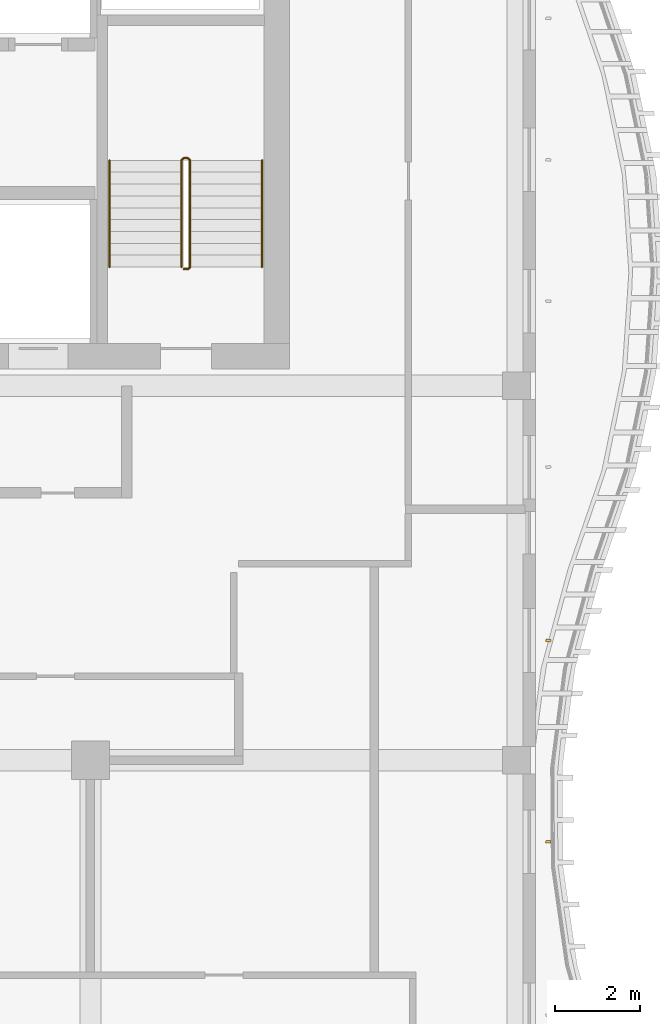
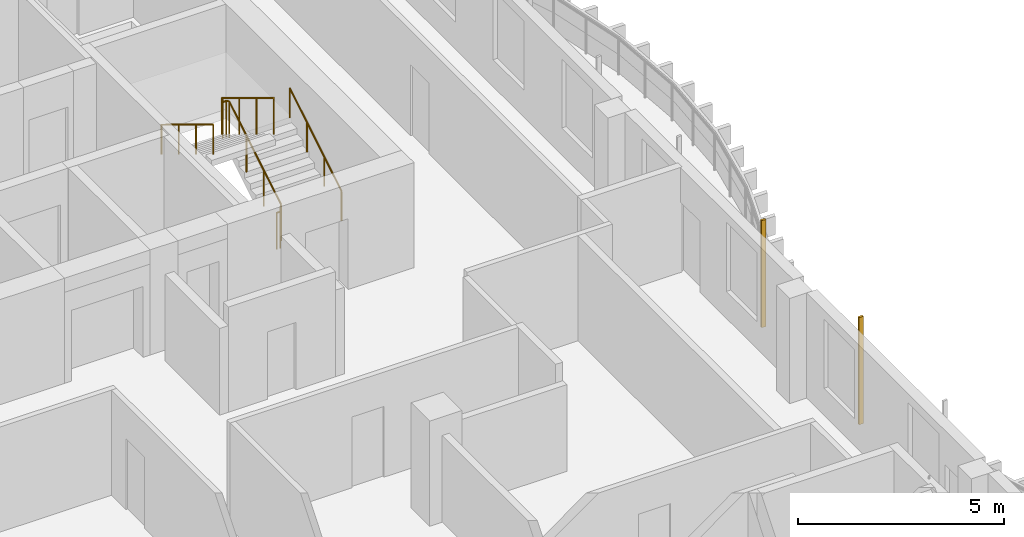
# One storey, part 16 of 18: 3 railings, 2 shading devices.
"""IFC4 building model written with IfcOpenShell, lengths in metres."""

from ifc_helpers import new_model, si_unit, direction, frame, origin, origin_2d, place, context, subcontext, project, spatial, rectangle, circle, extrude, source, transform, mapped, material, material_profile, profile_set, type_object, element, save


model = new_model("IFC4")

# Units and contexts
model_context = context("Model", 3, precision=1e-05, world=origin(), true_north=direction((0.0, 1.0)))
body_context = subcontext(model_context, "Body", "Model", "MODEL_VIEW")
ifc_project = project(units=[si_unit("LENGTHUNIT", "METRE"), si_unit("AREAUNIT", "SQUARE_METRE"), si_unit("VOLUMEUNIT", "CUBIC_METRE"), si_unit("PLANEANGLEUNIT", "RADIAN"), si_unit("MASSUNIT", "GRAM", prefix="KILO")], contexts=[model_context])

# Site, building, storey
site_placement = place(None, origin())
site = spatial("IfcSite", under=ifc_project, at=site_placement, CompositionType="ELEMENT")
building_placement = place(site_placement, origin())
building = spatial("IfcBuilding", under=site, at=building_placement, Name="Kilnfold Tower and Market Hall", CompositionType="ELEMENT")
storey_placement = place(building_placement, frame((0.0, 0.0, 280.60009765625)))
storey = spatial("IfcBuildingStorey", under=building, at=storey_placement, Name="L69", CompositionType="ELEMENT", Elevation=280.60009765625)

# Railings
ifc_material_1 = material(Name="Stainless steel 316", Category="steel")
railing_type_1 = type_object("IfcRailingType", Name="CORE STAIR GUARD 1100", PredefinedType="GUARDRAIL", material=ifc_material_1)
railing_1_placement = place(storey_placement, frame((15.199951171875, 10.75, 0.0)))
element("IfcRailing", 1, at=railing_1_placement, inside=storey, type_object=railing_type_1, Name="L69 ST2 stair guard 1", PredefinedType="GUARDRAIL", context=body_context, shape_type="SweptSolid", body=[
    extrude(circle(Radius=0.02392578125, at=origin_2d()), frame((0.0, 0.0, 1.076171875), z_axis=(1.0, 0.0, 0.0), x_axis=(0.0, 1.0, 0.0)), (0.0, 0.0, 1.0), 0.10009765625),
    extrude(circle(Radius=0.02392578125, at=origin_2d()), frame((0.10009765625, 0.0, 1.076171875), z_axis=(0.271895245746, 0.271895245746, 0.923117517265), x_axis=(-0.707106781187, 0.707106781187, 0.0)), (0.0, 0.0, 1.0), 0.18408203125),
    extrude(circle(Radius=0.02392578125, at=origin_2d()), frame((0.150146484375, 0.050048828125, 1.24609375), z_axis=(0.0, 0.85478489116, 0.518982456201), x_axis=(-1.0, 0.0, 0.0)), (0.0, 0.0, 1.0), 2.9482421875),
    extrude(circle(Radius=0.02392578125, at=origin_2d()), frame((0.150146484375, 2.570068359375, 2.77587890625), z_axis=(-0.707106781187, 0.707106781187, 0.0), x_axis=(-0.707106781187, -0.707106781187, 0.0)), (0.0, 0.0, 1.0), 0.07080078125),
    extrude(circle(Radius=0.02392578125, at=origin_2d()), frame((0.10009765625, 2.6201171875, 2.77587890625), z_axis=(-1.0, 0.0, 0.0), x_axis=(0.0, -1.0, 0.0)), (0.0, 0.0, 1.0), 0.10009765625),
    extrude(circle(Radius=0.02392578125, at=origin_2d()), frame((0.0, 2.6201171875, 2.77587890625), z_axis=(-0.271895245746, -0.271895245746, 0.923117517265), x_axis=(0.707106781187, -0.707106781187, 0.0)), (0.0, 0.0, 1.0), 0.18408203125),
    extrude(circle(Radius=0.02392578125, at=origin_2d()), frame((-0.050048828125, 2.570068359375, 2.94580078125), z_axis=(0.0, -0.85478489116, 0.518982456201), x_axis=(1.0, 0.0, 0.0)), (0.0, 0.0, 1.0), 2.9482421875),
    extrude(circle(Radius=0.02099609375, at=origin_2d()), origin(), (0.0, 0.0, 1.0), 1.052001953125),
    extrude(circle(Radius=0.02099609375, at=origin_2d()), frame((0.10009765625, 0.0, 0.0)), (0.0, 0.0, 1.0), 1.052001953125),
    extrude(circle(Radius=0.02099609375, at=origin_2d()), frame((0.150146484375, 0.050048828125, 0.169921875)), (0.0, 0.0, 1.0), 1.052001953125),
    extrude(circle(Radius=0.02099609375, at=origin_2d()), frame((0.150146484375, 0.89013671875, 0.679931640625)), (0.0, 0.0, 1.0), 1.052001953125),
    extrude(circle(Radius=0.02099609375, at=origin_2d()), frame((0.150146484375, 1.72998046875, 1.18994140625)), (0.0, 0.0, 1.0), 1.052001953125),
    extrude(circle(Radius=0.02099609375, at=origin_2d()), frame((0.150146484375, 2.570068359375, 1.699951171875)), (0.0, 0.0, 1.0), 1.052001953125),
    extrude(circle(Radius=0.02099609375, at=origin_2d()), frame((0.10009765625, 2.6201171875, 1.699951171875)), (0.0, 0.0, 1.0), 1.052001953125),
    extrude(circle(Radius=0.02099609375, at=origin_2d()), frame((0.0, 2.6201171875, 1.699951171875)), (0.0, 0.0, 1.0), 1.052001953125),
    extrude(circle(Radius=0.02099609375, at=origin_2d()), frame((-0.050048828125, 2.570068359375, 1.869873046875)), (0.0, 0.0, 1.0), 1.052001953125),
    extrude(circle(Radius=0.02099609375, at=origin_2d()), frame((-0.050048828125, 1.72998046875, 2.3798828125)), (0.0, 0.0, 1.0), 1.052001953125),
    extrude(circle(Radius=0.02099609375, at=origin_2d()), frame((-0.050048828125, 0.89013671875, 2.889892578125)), (0.0, 0.0, 1.0), 1.052001953125),
    extrude(circle(Radius=0.02099609375, at=origin_2d()), frame((-0.050048828125, 0.050048828125, 3.39990234375)), (0.0, 0.0, 1.0), 1.052001953125),
])
ifc_material_2 = material(Name="Stainless steel 316", Category="steel")
railing_type_2 = type_object("IfcRailingType", Name="CORE STAIR HANDRAIL 900", PredefinedType="HANDRAIL", material=ifc_material_2)
railing_2_placement = place(storey_placement, frame((17.050048828125, 10.800048828125, 0.169921875)))
element("IfcRailing", 2, at=railing_2_placement, inside=storey, type_object=railing_type_2, Name="L69 ST2 stair handrail 1", PredefinedType="HANDRAIL", context=body_context, shape_type="SweptSolid", body=[
    extrude(circle(Radius=0.02392578125, at=origin_2d()), frame((0.0, 0.0, 0.8759765625), z_axis=(0.0, 0.85478489116, 0.518982456201), x_axis=(-1.0, 0.0, 0.0)), (0.0, 0.0, 1.0), 2.9482421875),
    extrude(circle(Radius=0.02099609375, at=origin_2d()), origin(), (0.0, 0.0, 1.0), 0.851806640625),
    extrude(circle(Radius=0.02099609375, at=origin_2d()), frame((0.0, 0.840087890625, 0.510009765625)), (0.0, 0.0, 1.0), 0.851806640625),
    extrude(circle(Radius=0.02099609375, at=origin_2d()), frame((0.0, 1.679931640625, 1.02001953125)), (0.0, 0.0, 1.0), 0.851806640625),
    extrude(circle(Radius=0.02099609375, at=origin_2d()), frame((0.0, 2.52001953125, 1.530029296875)), (0.0, 0.0, 1.0), 0.851806640625),
])
railing_3_placement = place(storey_placement, frame((13.449951171875, 13.320068359375, 1.869873046875)))
element("IfcRailing", 3, at=railing_3_placement, inside=storey, type_object=railing_type_2, Name="L69 ST2 stair handrail 2", PredefinedType="HANDRAIL", context=body_context, shape_type="SweptSolid", body=[
    extrude(circle(Radius=0.02392578125, at=origin_2d()), frame((0.0, 0.0, 0.8759765625), z_axis=(0.0, -0.85478489116, 0.518982456201), x_axis=(1.0, 0.0, 0.0)), (0.0, 0.0, 1.0), 2.9482421875),
    extrude(circle(Radius=0.02099609375, at=origin_2d()), origin(), (0.0, 0.0, 1.0), 0.851806640625),
    extrude(circle(Radius=0.02099609375, at=origin_2d()), frame((0.0, -0.840087890625, 0.510009765625)), (0.0, 0.0, 1.0), 0.851806640625),
    extrude(circle(Radius=0.02099609375, at=origin_2d()), frame((0.0, -1.679931640625, 1.02001953125)), (0.0, 0.0, 1.0), 0.851806640625),
    extrude(circle(Radius=0.02099609375, at=origin_2d()), frame((0.0, -2.52001953125, 1.530029296875)), (0.0, 0.0, 1.0), 0.851806640625),
])

# Shading devices
ifc_material_3 = material(Name="Terracotta", Category="masonry")
ifc_material_profile = material_profile(ifc_material_3, rectangle(XDim=0.06005859375, YDim=0.1201171875, at=origin_2d()), Name="BAG 60x120")
ifc_profile_set = profile_set([ifc_material_profile], Name="Terracotta")
shading_device_type = type_object("IfcShadingDeviceType", Name="BAGUETTE", PredefinedType="USERDEFINED", material=ifc_profile_set)
shared_shape = source(origin(), body_context, "Body", "SweptSolid", [
    extrude(rectangle(XDim=0.06005859375, YDim=0.1201171875, at=origin_2d()), origin(), (0.0, 0.0, 1.0), 3.179931640625),
])
for number, where, z_axis, x_axis, name in (
    (4, (23.800048828125, -2.75, 0.0), (0.0, 0.0, 1.0), (0.010126227254, 0.999948728446, 0.0), "Terracotta baguette L69 E"),
    (5, (23.800048828125, 1.99169921875, 0.0), (0.0, 0.0, 1.0), (0.112594519946, 0.993641018718, 0.0), "Terracotta baguette L69 E"),
):
    element("IfcShadingDevice", number, at=place(storey_placement, frame(where, z_axis=z_axis, x_axis=x_axis)), inside=storey, type_object=shading_device_type, Name=name, ObjectType="BAGUETTE", PredefinedType="USERDEFINED", context=body_context, shape_type="MappedRepresentation", body=[
        mapped(shared_shape, transform((0.0, 0.0, 0.0))),
    ])

save(model, "model.ifc")
